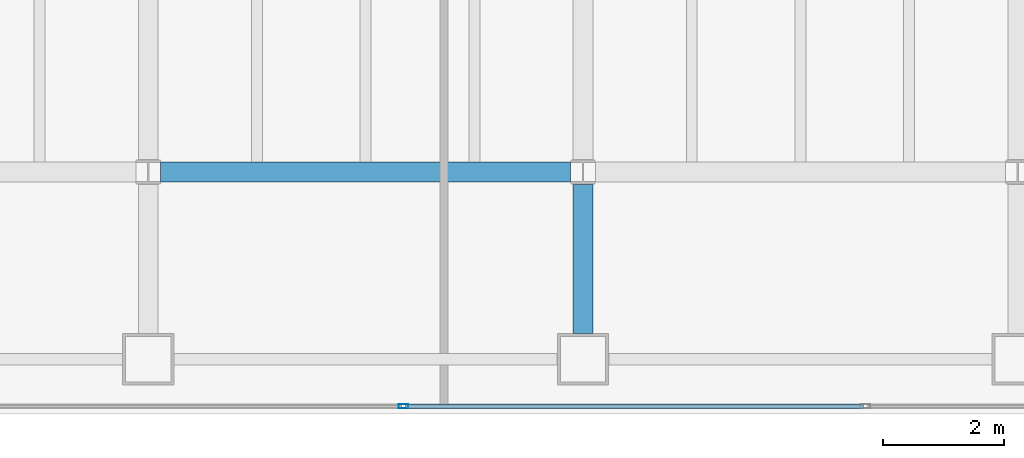
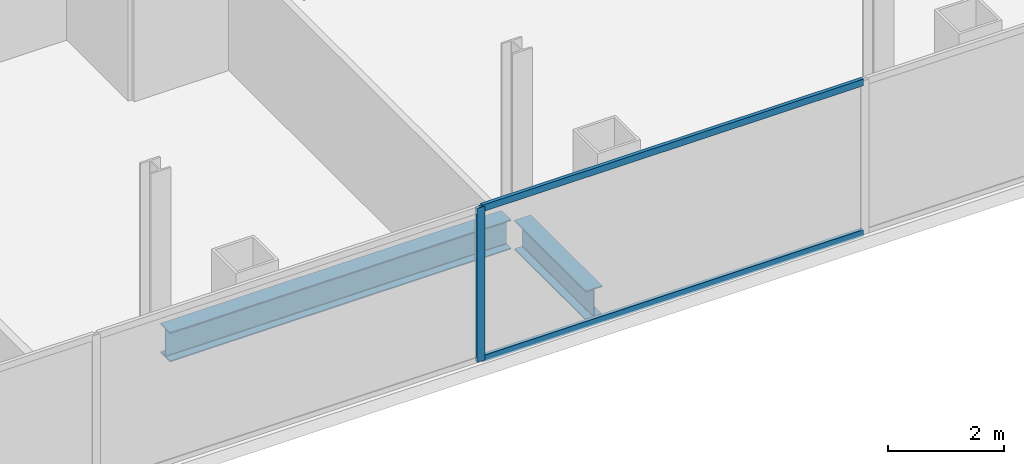
# One storey, part 6 of 23: 3 members, 2 beams, 1 element without a shape of its own.
"""IFC4 building model written with IfcOpenShell, lengths in metres."""

from ifc_helpers import new_model, si_unit, direction, frame, origin, origin_2d, place, context, subcontext, project, spatial, hollow_rectangle, i_section, extrude, material, material_profile, profile_set, type_object, element, aggregate, save


model = new_model("IFC4")

# Units and contexts
model_context = context("Model", 3, precision=1e-05, world=origin(), true_north=direction((0.0, 1.0)))
body_context = subcontext(model_context, "Body", "Model", "MODEL_VIEW")
ifc_project = project(units=[si_unit("LENGTHUNIT", "METRE"), si_unit("AREAUNIT", "SQUARE_METRE"), si_unit("VOLUMEUNIT", "CUBIC_METRE"), si_unit("PLANEANGLEUNIT", "RADIAN"), si_unit("MASSUNIT", "GRAM", prefix="KILO")], contexts=[model_context])

# Site, building, storey
site_placement = place(None, origin())
site = spatial("IfcSite", under=ifc_project, at=site_placement, CompositionType="ELEMENT")
building_placement = place(site_placement, origin())
building = spatial("IfcBuilding", under=site, at=building_placement, Name="Cobrela Telecom Tower", CompositionType="ELEMENT")
storey_placement = place(building_placement, frame((0.0, 0.0, 180.25)))
storey = spatial("IfcBuildingStorey", under=building, at=storey_placement, Name="L45", CompositionType="ELEMENT", Elevation=180.25)

# Beams
ifc_material_1 = material(Name="Steel ASTM A992 Grade 50", Category="steel")
ifc_material_profile_1 = material_profile(ifc_material_1, i_section(OverallWidth=0.327880859375, OverallDepth=0.6220703125, WebThickness=0.015380859375, FlangeThickness=0.0244140625, FilletRadius=0.014892578125, at=origin_2d()), Name="W24X131")
ifc_profile_set_1 = profile_set([ifc_material_profile_1], Name="Steel ASTM A992 Grade 50")
beam_type = type_object("IfcBeamType", Name="BM-GIRD-06", PredefinedType="USERDEFINED", material=ifc_profile_set_1)
beam_1_placement = place(storey_placement, frame((21.804443359375, 7.199951171875, -0.571044921875), z_axis=(1.0, 0.0, 0.0), x_axis=(0.0, 1.0, 0.0)))
element("IfcBeam", 1, at=beam_1_placement, inside=storey, type_object=beam_type, Name="L45 Primary Girder X08", ObjectType="GIRDER", PredefinedType="USERDEFINED", context=body_context, shape_type="SweptSolid", body=[
    extrude(i_section(OverallWidth=0.327880859375, OverallDepth=0.6220703125, WebThickness=0.015380859375, FlangeThickness=0.0244140625, FilletRadius=0.014892578125, at=origin_2d()), origin(), (0.0, 0.0, 1.0), 6.791015625),
])
beam_2_placement = place(storey_placement, frame((28.800048828125, 4.530029296875, -0.571044921875), z_axis=(0.0, 1.0, 0.0), x_axis=(-1.0, 0.0, 0.0)))
element("IfcBeam", 2, at=beam_2_placement, inside=storey, type_object=beam_type, Name="L45 Primary Girder Y36", ObjectType="GIRDER", PredefinedType="USERDEFINED", context=body_context, shape_type="SweptSolid", body=[
    extrude(i_section(OverallWidth=0.327880859375, OverallDepth=0.6220703125, WebThickness=0.015380859375, FlangeThickness=0.0244140625, FilletRadius=0.014892578125, at=origin_2d()), origin(), (0.0, 0.0, 1.0), 2.465576171875),
])

# Curtain wall, members
ifc_material_2 = material(Name="Anodized Bronze Aluminium 6063-T6", Category="aluminium")
curtain_wall_type = type_object("IfcCurtainWallType", Name="CW-SYS-OFF-LO", PredefinedType="USERDEFINED", material=ifc_material_2)
curtain_wall_placement = place(storey_placement, origin())
curtain_wall = element("IfcCurtainWall", 3, at=curtain_wall_placement, inside=storey, type_object=curtain_wall_type, Name="L45 Unitised Bronze Curtain Wall 17", ObjectType="UNITISED CURTAIN WALL", PredefinedType="USERDEFINED")
ifc_material_profile_2 = material_profile(ifc_material_2, hollow_rectangle(XDim=0.070068359375, YDim=0.159912109375, WallThickness=0.00390625, at=origin_2d()), Name="ALU 70x160x4")
ifc_profile_set_2 = profile_set([ifc_material_profile_2], Name="Anodized Bronze Aluminium 6063-T6")
member_type_1 = type_object("IfcMemberType", Name="CW-SYS-OFF-LO-MUL", PredefinedType="MULLION", material=ifc_profile_set_2)
member_1_placement = place(storey_placement, frame((25.825927734375, 3.320068359375, 0.0), z_axis=(0.0, 0.0, 1.0), x_axis=(0.0, -1.0, 0.0)))
member_1 = element("IfcMember", 4, at=member_1_placement, type_object=member_type_1, Name="CW-OFF-LO mullion 3", PredefinedType="MULLION", context=body_context, shape_type="SweptSolid", body=[
    extrude(hollow_rectangle(XDim=0.070068359375, YDim=0.159912109375, WallThickness=0.00390625, at=origin_2d()), origin(), (0.0, 0.0, 1.0), 3.239990234375),
])
ifc_material_profile_3 = material_profile(ifc_material_2, hollow_rectangle(XDim=0.070068359375, YDim=0.139892578125, WallThickness=0.00390625, at=origin_2d()), Name="ALU 70x140x4")
ifc_profile_set_3 = profile_set([ifc_material_profile_3], Name="Anodized Bronze Aluminium 6063-T6")
member_type_2 = type_object("IfcMemberType", Name="CW-SYS-OFF-LO-TRN", PredefinedType="USERDEFINED", material=ifc_profile_set_3)
member_2_placement = place(storey_placement, frame((33.443115234375, 3.320068359375, 0.034912109375), z_axis=(-1.0, 0.0, 0.0), x_axis=(0.0, -1.0, 0.0)))
member_2 = element("IfcMember", 5, at=member_2_placement, type_object=member_type_2, Name="CW-OFF-LO transom 2.1", ObjectType="TRANSOM", PredefinedType="USERDEFINED", context=body_context, shape_type="SweptSolid", body=[
    extrude(hollow_rectangle(XDim=0.070068359375, YDim=0.139892578125, WallThickness=0.00390625, at=origin_2d()), origin(), (0.0, 0.0, 1.0), 7.58203125),
])
member_3_placement = place(storey_placement, frame((33.443115234375, 3.320068359375, 3.205078125), z_axis=(-1.0, 0.0, 0.0), x_axis=(0.0, -1.0, 0.0)))
member_3 = element("IfcMember", 6, at=member_3_placement, type_object=member_type_2, Name="CW-OFF-LO transom 2.2", ObjectType="TRANSOM", PredefinedType="USERDEFINED", context=body_context, shape_type="SweptSolid", body=[
    extrude(hollow_rectangle(XDim=0.070068359375, YDim=0.139892578125, WallThickness=0.00390625, at=origin_2d()), origin(), (0.0, 0.0, 1.0), 7.58203125),
])
aggregate(curtain_wall, [member_1, member_2, member_3])

save(model, "model.ifc")
